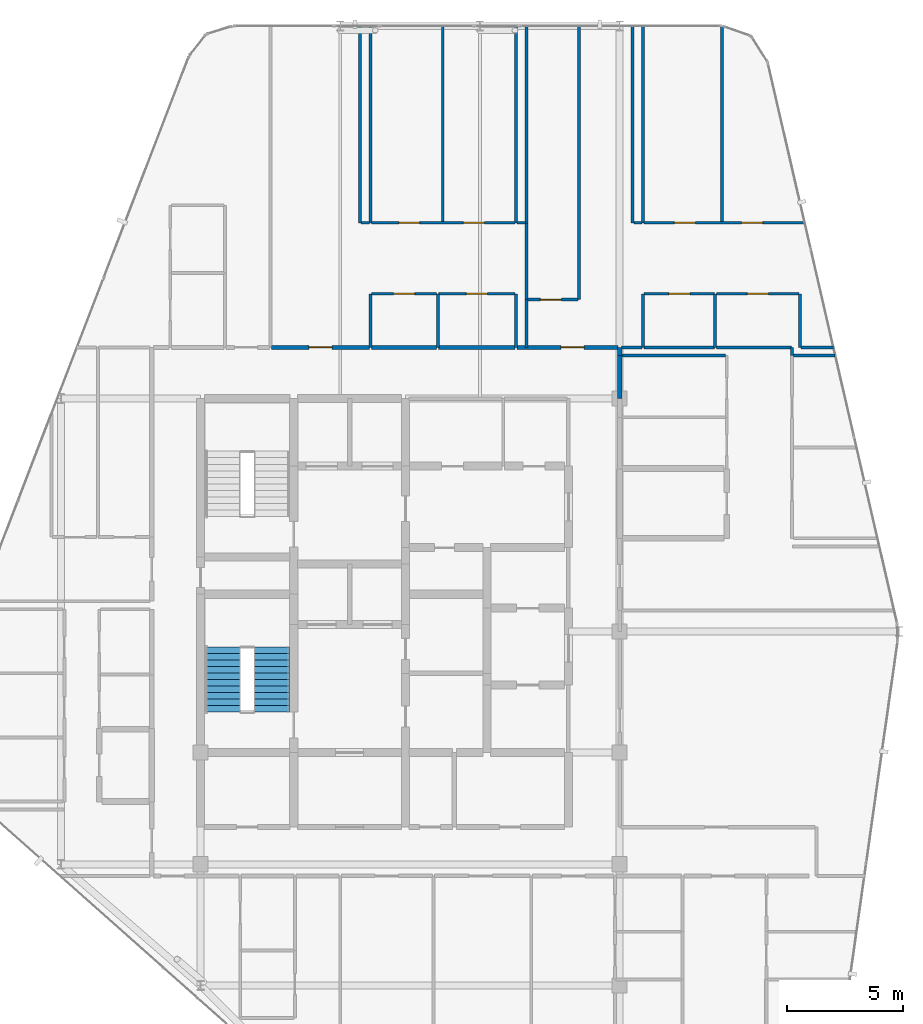
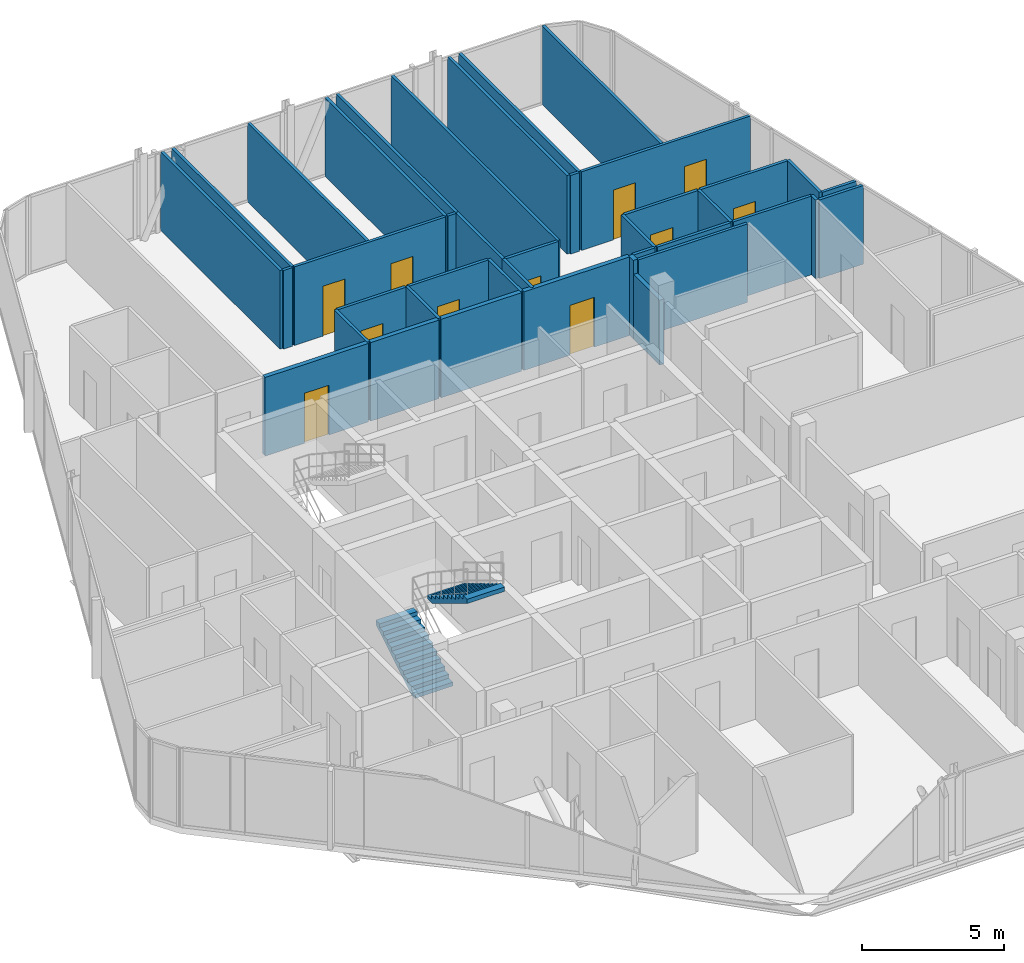
# One storey, part 26 of 28: 40 walls, 11 doors, 2 stair flights, 11 openings, 1 element without a shape of its own.
"""IFC4 building model written with IfcOpenShell, lengths in metres."""

from ifc_helpers import new_model, si_unit, direction, frame, frame_2d, origin, place, context, subcontext, project, spatial, polyline, rectangle, outline, extrude, material, layer, layer_set, type_object, element, fill, aggregate, save


model = new_model("IFC4")

# Units and contexts
model_context = context("Model", 3, precision=1e-05, world=origin(), true_north=direction((0.0, 1.0)))
body_context = subcontext(model_context, "Body", "Model", "MODEL_VIEW")
ifc_project = project(units=[si_unit("LENGTHUNIT", "METRE"), si_unit("AREAUNIT", "SQUARE_METRE"), si_unit("VOLUMEUNIT", "CUBIC_METRE"), si_unit("PLANEANGLEUNIT", "RADIAN"), si_unit("MASSUNIT", "GRAM", prefix="KILO")], contexts=[model_context])

# Site, building, storey
site_placement = place(None, origin())
site = spatial("IfcSite", under=ifc_project, at=site_placement, CompositionType="ELEMENT")
building_placement = place(site_placement, origin())
building = spatial("IfcBuilding", under=site, at=building_placement, Name="Keshet Zoharim Tower", CompositionType="ELEMENT")
storey_placement = place(building_placement, frame((0.0, 0.0, 303.60009765625)))
storey = spatial("IfcBuildingStorey", under=building, at=storey_placement, Name="L76", CompositionType="ELEMENT", Elevation=303.60009765625)

# Wall
ifc_material_1 = material(Name="Gypsum Plasterboard", Category="gypsum")
ifc_layer_1 = layer(ifc_material_1, 0.179931640625)
ifc_layer_set_1 = layer_set([ifc_layer_1], Name="Gypsum Plasterboard")
wall_type_1 = type_object("IfcWallType", Name="WL-CORR-180", PredefinedType="STANDARD", material=ifc_layer_set_1)
wall_1_placement = place(storey_placement, frame((33.0, 39.75, 0.0), z_axis=(0.0, 0.0, 1.0), x_axis=(0.0, 1.0, 0.0)))
element("IfcWall", 1, at=wall_1_placement, inside=storey, type_object=wall_type_1, Name="L76 Interior Wall 074", PredefinedType="STANDARD", context=body_context, shape_type="SweptSolid", body=[
    extrude(rectangle(XDim=0.35009765625, YDim=0.179931640625, at=frame_2d((0.175048828125, 0.0))), origin(), (0.0, 0.0, 1.0), 3.389892578125),
])

# Wall, opening, door
wall_2_placement = place(storey_placement, frame((18.044921875, 40.10009765625, 0.0), z_axis=(0.0, 0.0, 1.0), x_axis=(1.0, 0.0, 0.0)))
wall_2 = element("IfcWall", 2, at=wall_2_placement, inside=storey, type_object=wall_type_1, Name="L76 Interior Wall 165", PredefinedType="STANDARD", context=body_context, shape_type="SweptSolid", body=[
    extrude(rectangle(XDim=4.2099609375, YDim=0.179931640625, at=frame_2d((2.10498046875, 0.0))), origin(), (0.0, 0.0, 1.0), 3.389892578125),
])
opening_1_placement = place(wall_2_placement, frame((1.60498046875, 0.0, 0.0)))
opening_1 = element("IfcOpeningElement", 3, at=opening_1_placement, cuts=wall_2, Name="Opening D-F310", PredefinedType="OPENING", context=body_context, shape_type="SweptSolid", body=[
    extrude(rectangle(XDim=1.0, YDim=2.14990234375, at=frame_2d((0.5, 1.074951171875))), frame((0.0, 0.10009765625, 0.0), z_axis=(0.0, -1.0, 0.0), x_axis=(1.0, 0.0, 0.0)), (0.0, 0.0, 1.0), 0.199951171875),
])
ifc_material_2 = material(Name="Hardwood Timber", Category="wood")
door_type_1 = type_object("IfcDoorType", Name="DR-FD30-100", OperationType="NOTDEFINED", PredefinedType="DOOR", material=ifc_material_2)
door_1_placement = place(opening_1_placement, origin())
door_1 = element("IfcDoor", 4, at=door_1_placement, inside=storey, type_object=door_type_1, Name="Apartment 7605 Entrance Door", OperationType="SINGLE_SWING_LEFT", OverallHeight=2.14990234375, OverallWidth=1.0, PredefinedType="DOOR", context=body_context, shape_type="SweptSolid", body=[
    extrude(rectangle(XDim=1.0, YDim=2.14990234375, at=frame_2d((0.5, 1.074951171875))), frame((0.0, 0.02490234375, 0.0), z_axis=(0.0, -1.0, 0.0), x_axis=(1.0, 0.0, 0.0)), (0.0, 0.0, 1.0), 0.050048828125),
])
fill(opening_1, door_1)

# Walls
wall_3_placement = place(storey_placement, frame((22.344970703125, 40.10009765625, 0.0), z_axis=(0.0, 0.0, 1.0), x_axis=(1.0, 0.0, 0.0)))
element("IfcWall", 5, at=wall_3_placement, inside=storey, type_object=wall_type_1, Name="L76 Interior Wall 166", PredefinedType="STANDARD", context=body_context, shape_type="SweptSolid", body=[
    extrude(rectangle(XDim=2.784912109375, YDim=0.179931640625, at=frame_2d((1.392578125, 0.0))), origin(), (0.0, 0.0, 1.0), 3.389892578125),
])
wall_4_placement = place(storey_placement, frame((25.219970703125, 40.10009765625, 0.0), z_axis=(0.0, 0.0, 1.0), x_axis=(1.0, 0.0, 0.0)))
element("IfcWall", 6, at=wall_4_placement, inside=storey, type_object=wall_type_1, Name="L76 Interior Wall 167", PredefinedType="STANDARD", context=body_context, shape_type="SweptSolid", body=[
    extrude(rectangle(XDim=3.284912109375, YDim=0.179931640625, at=frame_2d((1.642578125, 0.0))), origin(), (0.0, 0.0, 1.0), 3.389892578125),
])

# Wall, opening, door
wall_5_placement = place(storey_placement, frame((28.594970703125, 40.10009765625, 0.0), z_axis=(0.0, 0.0, 1.0), x_axis=(1.0, 0.0, 0.0)))
wall_5 = element("IfcWall", 7, at=wall_5_placement, inside=storey, type_object=wall_type_1, Name="L76 Interior Wall 168", PredefinedType="STANDARD", context=body_context, shape_type="SweptSolid", body=[
    extrude(rectangle(XDim=4.330078125, YDim=0.179931640625, at=frame_2d((2.1650390625, 0.0))), origin(), (0.0, 0.0, 1.0), 3.389892578125),
])
opening_2_placement = place(wall_5_placement, frame((1.8798828125, 0.0, 0.0)))
opening_2 = element("IfcOpeningElement", 8, at=opening_2_placement, cuts=wall_5, Name="Opening D-F310", PredefinedType="OPENING", context=body_context, shape_type="SweptSolid", body=[
    extrude(rectangle(XDim=1.0, YDim=2.14990234375, at=frame_2d((0.5, 1.074951171875))), frame((0.0, 0.10009765625, 0.0), z_axis=(0.0, -1.0, 0.0), x_axis=(1.0, 0.0, 0.0)), (0.0, 0.0, 1.0), 0.199951171875),
])
door_2_placement = place(opening_2_placement, origin())
door_2 = element("IfcDoor", 9, at=door_2_placement, inside=storey, type_object=door_type_1, Name="Apartment 7606 Entrance Door", OperationType="SINGLE_SWING_RIGHT", OverallHeight=2.14990234375, OverallWidth=1.0, PredefinedType="DOOR", context=body_context, shape_type="SweptSolid", body=[
    extrude(rectangle(XDim=1.0, YDim=2.14990234375, at=frame_2d((0.5, 1.074951171875))), frame((0.0, 0.02490234375, 0.0), z_axis=(0.0, -1.0, 0.0), x_axis=(1.0, 0.0, 0.0)), (0.0, 0.0, 1.0), 0.050048828125),
])
fill(opening_2, door_2)

# Walls
wall_6_placement = place(storey_placement, frame((33.0, 37.89990234375, 0.0), z_axis=(0.0, 0.0, 1.0), x_axis=(0.0, 1.0, 0.0)))
element("IfcWall", 10, at=wall_6_placement, inside=storey, type_object=wall_type_1, Name="L76 Interior Wall 073 Part 2", PredefinedType="STANDARD", context=body_context, shape_type="SweptSolid", body=[
    extrude(rectangle(XDim=1.85009765625, YDim=0.179931640625, at=frame_2d((0.925048828125, 0.0))), origin(), (0.0, 0.0, 1.0), 2.789794921875),
])
ifc_layer_2 = layer(ifc_material_1, 0.1201171875)
ifc_layer_set_2 = layer_set([ifc_layer_2], Name="Gypsum Plasterboard")
wall_type_2 = type_object("IfcWallType", Name="WL-PART-120", PredefinedType="PARTITIONING", material=ifc_layer_set_2)
wall_7_placement = place(storey_placement, frame((21.85009765625, 45.449951171875, 0.0), z_axis=(0.0, 0.0, 1.0), x_axis=(0.0, 1.0, 0.0)))
element("IfcWall", 11, at=wall_7_placement, inside=storey, type_object=wall_type_2, Name="L76 Interior Wall 035", PredefinedType="PARTITIONING", context=body_context, shape_type="SweptSolid", body=[
    extrude(rectangle(XDim=8.43994140625, YDim=0.1201171875, at=frame_2d((4.219970703125, 0.0))), origin(), (0.0, 0.0, 1.0), 3.389892578125),
])
wall_8_placement = place(storey_placement, frame((22.300048828125, 40.10009765625, 0.0), z_axis=(0.0, 0.0, 1.0), x_axis=(0.0, 1.0, 0.0)))
element("IfcWall", 12, at=wall_8_placement, inside=storey, type_object=wall_type_2, Name="L76 Interior Wall 036", PredefinedType="PARTITIONING", context=body_context, shape_type="SweptSolid", body=[
    extrude(rectangle(XDim=2.2998046875, YDim=0.1201171875, at=frame_2d((1.14990234375, 0.0))), origin(), (0.0, 0.0, 1.0), 3.389892578125),
])
for number, where, z_axis, x_axis, name in (
    (13, (22.300048828125, 45.449951171875, 0.0), (0.0, 0.0, 1.0), (0.0, 1.0, 0.0), "L76 Interior Wall 037"),
    (14, (25.39990234375, 45.449951171875, 0.0), (0.0, 0.0, 1.0), (0.0, 1.0, 0.0), "L76 Interior Wall 046"),
    (15, (28.550048828125, 45.449951171875, 0.0), (0.0, 0.0, 1.0), (0.0, 1.0, 0.0), "L76 Interior Wall 054"),
):
    element("IfcWall", number, at=place(storey_placement, frame(where, z_axis=z_axis, x_axis=x_axis)), inside=storey, type_object=wall_type_2, Name=name, PredefinedType="PARTITIONING", context=body_context, shape_type="SweptSolid", body=[
        extrude(rectangle(XDim=8.43994140625, YDim=0.1201171875, at=frame_2d((4.219970703125, 0.0))), origin(), (0.0, 0.0, 1.0), 3.389892578125),
    ])
wall_9_placement = place(storey_placement, frame((29.0, 40.10009765625, 0.0), z_axis=(0.0, 0.0, 1.0), x_axis=(0.0, 1.0, 0.0)))
element("IfcWall", 16, at=wall_9_placement, inside=storey, type_object=wall_type_2, Name="L76 Interior Wall 055", PredefinedType="PARTITIONING", context=body_context, shape_type="SweptSolid", body=[
    extrude(rectangle(XDim=2.0498046875, YDim=0.1201171875, at=frame_2d((1.02490234375, 0.0))), origin(), (0.0, 0.0, 1.0), 3.389892578125),
])
wall_10_placement = place(storey_placement, frame((29.0, 42.14990234375, 0.0), z_axis=(0.0, 0.0, 1.0), x_axis=(0.0, 1.0, 0.0)))
element("IfcWall", 17, at=wall_10_placement, inside=storey, type_object=wall_type_2, Name="L76 Interior Wall 056", PredefinedType="PARTITIONING", context=body_context, shape_type="SweptSolid", body=[
    extrude(rectangle(XDim=3.300048828125, YDim=0.1201171875, at=frame_2d((1.64990234375, 0.0))), origin(), (0.0, 0.0, 1.0), 3.389892578125),
])
wall_11_placement = place(storey_placement, frame((29.0, 45.449951171875, 0.0), z_axis=(0.0, 0.0, 1.0), x_axis=(0.0, 1.0, 0.0)))
element("IfcWall", 18, at=wall_11_placement, inside=storey, type_object=wall_type_2, Name="L76 Interior Wall 057", PredefinedType="PARTITIONING", context=body_context, shape_type="SweptSolid", body=[
    extrude(rectangle(XDim=8.43994140625, YDim=0.1201171875, at=frame_2d((4.219970703125, 0.0))), origin(), (0.0, 0.0, 1.0), 3.389892578125),
])
wall_12_placement = place(storey_placement, frame((31.25, 42.14990234375, 0.0), z_axis=(0.0, 0.0, 1.0), x_axis=(0.0, 1.0, 0.0)))
element("IfcWall", 19, at=wall_12_placement, inside=storey, type_object=wall_type_2, Name="L76 Interior Wall 065", PredefinedType="PARTITIONING", context=body_context, shape_type="SweptSolid", body=[
    extrude(rectangle(XDim=11.739990234375, YDim=0.1201171875, at=frame_2d((5.8701171875, 0.0))), origin(), (0.0, 0.0, 1.0), 3.389892578125),
])
wall_13_placement = place(storey_placement, frame((33.550048828125, 45.449951171875, 0.0), z_axis=(0.0, 0.0, 1.0), x_axis=(0.0, 1.0, 0.0)))
element("IfcWall", 20, at=wall_13_placement, inside=storey, type_object=wall_type_2, Name="L76 Interior Wall 075", PredefinedType="PARTITIONING", context=body_context, shape_type="SweptSolid", body=[
    extrude(rectangle(XDim=8.43994140625, YDim=0.1201171875, at=frame_2d((4.219970703125, 0.0))), origin(), (0.0, 0.0, 1.0), 3.389892578125),
])
wall_14_placement = place(storey_placement, frame((34.0, 40.10009765625, 0.0), z_axis=(0.0, 0.0, 1.0), x_axis=(0.0, 1.0, 0.0)))
element("IfcWall", 21, at=wall_14_placement, inside=storey, type_object=wall_type_2, Name="L76 Interior Wall 076", PredefinedType="PARTITIONING", context=body_context, shape_type="SweptSolid", body=[
    extrude(rectangle(XDim=2.2998046875, YDim=0.1201171875, at=frame_2d((1.14990234375, 0.0))), origin(), (0.0, 0.0, 1.0), 3.389892578125),
])
for number, where, z_axis, x_axis, name in (
    (22, (34.0, 45.449951171875, 0.0), (0.0, 0.0, 1.0), (0.0, 1.0, 0.0), "L76 Interior Wall 077"),
    (23, (37.39990234375, 45.449951171875, 0.0), (0.0, 0.0, 1.0), (0.0, 1.0, 0.0), "L76 Interior Wall 082"),
):
    element("IfcWall", number, at=place(storey_placement, frame(where, z_axis=z_axis, x_axis=x_axis)), inside=storey, type_object=wall_type_2, Name=name, PredefinedType="PARTITIONING", context=body_context, shape_type="SweptSolid", body=[
        extrude(rectangle(XDim=8.43994140625, YDim=0.1201171875, at=frame_2d((4.219970703125, 0.0))), origin(), (0.0, 0.0, 1.0), 3.389892578125),
    ])
wall_15_placement = place(storey_placement, frame((40.39990234375, 39.75, 0.0), z_axis=(0.0, 0.0, 1.0), x_axis=(0.0, 1.0, 0.0)))
element("IfcWall", 24, at=wall_15_placement, inside=storey, type_object=wall_type_2, Name="L76 Interior Wall 090", PredefinedType="PARTITIONING", context=body_context, shape_type="SweptSolid", body=[
    extrude(rectangle(XDim=0.35009765625, YDim=0.1201171875, at=frame_2d((0.175048828125, 0.0))), origin(), (0.0, 0.0, 1.0), 3.389892578125),
])
wall_16_placement = place(storey_placement, frame((33.074951171875, 39.75, 0.0), z_axis=(0.0, 0.0, 1.0), x_axis=(1.0, 0.0, 0.0)))
element("IfcWall", 25, at=wall_16_placement, inside=storey, type_object=wall_type_2, Name="L76 Interior Wall 158", PredefinedType="PARTITIONING", context=body_context, shape_type="SweptSolid", body=[
    extrude(rectangle(XDim=4.4599609375, YDim=0.1201171875, at=frame_2d((2.22998046875, 0.0))), origin(), (0.0, 0.0, 1.0), 3.389892578125),
])
wall_17_placement = place(storey_placement, frame((40.465087890625, 39.75, 0.0), z_axis=(0.0, 0.0, 1.0), x_axis=(1.0, 0.0, 0.0)))
element("IfcWall", 26, at=wall_17_placement, inside=storey, type_object=wall_type_2, Name="L76 Interior Wall 159", PredefinedType="PARTITIONING", context=body_context, shape_type="SweptSolid", body=[
    extrude(rectangle(XDim=1.789794921875, YDim=0.1201171875, at=frame_2d((0.89501953125, 0.0))), origin(), (0.0, 0.0, 1.0), 3.389892578125),
])
wall_18_placement = place(storey_placement, frame((33.074951171875, 40.10009765625, 0.0), z_axis=(0.0, 0.0, 1.0), x_axis=(1.0, 0.0, 0.0)))
element("IfcWall", 27, at=wall_18_placement, inside=storey, type_object=wall_type_2, Name="L76 Interior Wall 169", PredefinedType="PARTITIONING", context=body_context, shape_type="SweptSolid", body=[
    extrude(rectangle(XDim=0.89013671875, YDim=0.1201171875, at=frame_2d((0.445068359375, 0.0))), origin(), (0.0, 0.0, 1.0), 3.389892578125),
])
wall_19_placement = place(storey_placement, frame((34.054931640625, 40.10009765625, 0.0), z_axis=(0.0, 0.0, 1.0), x_axis=(1.0, 0.0, 0.0)))
element("IfcWall", 28, at=wall_19_placement, inside=storey, type_object=wall_type_2, Name="L76 Interior Wall 170", PredefinedType="PARTITIONING", context=body_context, shape_type="SweptSolid", body=[
    extrude(rectangle(XDim=3.010986328125, YDim=0.1201171875, at=frame_2d((1.50537109375, 0.0))), origin(), (0.0, 0.0, 1.0), 3.389892578125),
])
wall_20_placement = place(storey_placement, frame((40.7958984375, 40.10009765625, 0.0), z_axis=(0.0, 0.0, 1.0), x_axis=(1.0, 0.0, 0.0)))
element("IfcWall", 29, at=wall_20_placement, inside=storey, type_object=wall_type_2, Name="L76 Interior Wall 172", PredefinedType="PARTITIONING", context=body_context, shape_type="SweptSolid", body=[
    extrude(rectangle(XDim=1.379150390625, YDim=0.1201171875, at=frame_2d((0.689453125, 0.0))), origin(), (0.0, 0.0, 1.0), 3.389892578125),
])

# Wall, opening, door
wall_21_placement = place(storey_placement, frame((29.044921875, 42.14990234375, 0.0), z_axis=(0.0, 0.0, 1.0), x_axis=(1.0, 0.0, 0.0)))
wall_21 = element("IfcWall", 30, at=wall_21_placement, inside=storey, type_object=wall_type_2, Name="L76 Interior Wall 173", PredefinedType="PARTITIONING", context=body_context, shape_type="SweptSolid", body=[
    extrude(rectangle(XDim=2.16015625, YDim=0.1201171875, at=frame_2d((1.080078125, 0.0))), origin(), (0.0, 0.0, 1.0), 3.389892578125),
])
opening_3_placement = place(wall_21_placement, frame((0.552978515625, 0.0, 0.0)))
opening_3 = element("IfcOpeningElement", 31, at=opening_3_placement, cuts=wall_21, Name="Opening D-IN90", PredefinedType="OPENING", context=body_context, shape_type="SweptSolid", body=[
    extrude(rectangle(XDim=0.89990234375, YDim=2.14990234375, at=frame_2d((0.449951171875, 1.074951171875))), frame((0.0, 0.070068359375, 0.0), z_axis=(0.0, -1.0, 0.0), x_axis=(1.0, 0.0, 0.0)), (0.0, 0.0, 1.0), 0.14013671875),
])
door_type_2 = type_object("IfcDoorType", Name="DR-INT-090", OperationType="NOTDEFINED", PredefinedType="DOOR", material=ifc_material_2)
door_3_placement = place(opening_3_placement, origin())
door_3 = element("IfcDoor", 32, at=door_3_placement, inside=storey, type_object=door_type_2, Name="Apartment 7606 Formal Dining Room Door", OperationType="SINGLE_SWING_LEFT", OverallHeight=2.14990234375, OverallWidth=0.89990234375, PredefinedType="DOOR", context=body_context, shape_type="SweptSolid", body=[
    extrude(rectangle(XDim=0.89990234375, YDim=2.14990234375, at=frame_2d((0.449951171875, 1.074951171875))), frame((0.0, 0.02490234375, 0.0), z_axis=(0.0, -1.0, 0.0), x_axis=(1.0, 0.0, 0.0)), (0.0, 0.0, 1.0), 0.050048828125),
])
fill(opening_3, door_3)

wall_22_placement = place(storey_placement, frame((22.344970703125, 42.39990234375, 0.0), z_axis=(0.0, 0.0, 1.0), x_axis=(1.0, 0.0, 0.0)))
wall_22 = element("IfcWall", 33, at=wall_22_placement, inside=storey, type_object=wall_type_2, Name="L76 Interior Wall 174", PredefinedType="PARTITIONING", context=body_context, shape_type="SweptSolid", body=[
    extrude(rectangle(XDim=2.784912109375, YDim=0.1201171875, at=frame_2d((1.392578125, 0.0))), origin(), (0.0, 0.0, 1.0), 3.389892578125),
])
opening_4_placement = place(wall_22_placement, frame((0.943115234375, 0.0, 0.0)))
opening_4 = element("IfcOpeningElement", 34, at=opening_4_placement, cuts=wall_22, Name="Opening D-IN90", PredefinedType="OPENING", context=body_context, shape_type="SweptSolid", body=[
    extrude(rectangle(XDim=0.89990234375, YDim=2.14990234375, at=frame_2d((0.449951171875, 1.074951171875))), frame((0.0, 0.070068359375, 0.0), z_axis=(0.0, -1.0, 0.0), x_axis=(1.0, 0.0, 0.0)), (0.0, 0.0, 1.0), 0.14013671875),
])
door_4_placement = place(opening_4_placement, origin())
door_4 = element("IfcDoor", 35, at=door_4_placement, inside=storey, type_object=door_type_2, Name="Apartment 7605 Kitchen Door", OperationType="SINGLE_SWING_RIGHT", OverallHeight=2.14990234375, OverallWidth=0.89990234375, PredefinedType="DOOR", context=body_context, shape_type="SweptSolid", body=[
    extrude(rectangle(XDim=0.89990234375, YDim=2.14990234375, at=frame_2d((0.449951171875, 1.074951171875))), frame((0.0, 0.02490234375, 0.0), z_axis=(0.0, -1.0, 0.0), x_axis=(1.0, 0.0, 0.0)), (0.0, 0.0, 1.0), 0.050048828125),
])
fill(opening_4, door_4)

wall_23_placement = place(storey_placement, frame((34.054931640625, 42.39990234375, 0.0), z_axis=(0.0, 0.0, 1.0), x_axis=(1.0, 0.0, 0.0)))
wall_23 = element("IfcWall", 36, at=wall_23_placement, inside=storey, type_object=wall_type_2, Name="L76 Interior Wall 176", PredefinedType="PARTITIONING", context=body_context, shape_type="SweptSolid", body=[
    extrude(rectangle(XDim=3.010986328125, YDim=0.1201171875, at=frame_2d((1.50537109375, 0.0))), origin(), (0.0, 0.0, 1.0), 3.389892578125),
])
opening_5_placement = place(wall_23_placement, frame((1.054931640625, 0.0, 0.0)))
opening_5 = element("IfcOpeningElement", 37, at=opening_5_placement, cuts=wall_23, Name="Opening D-IN90", PredefinedType="OPENING", context=body_context, shape_type="SweptSolid", body=[
    extrude(rectangle(XDim=0.89990234375, YDim=2.14990234375, at=frame_2d((0.449951171875, 1.074951171875))), frame((0.0, 0.070068359375, 0.0), z_axis=(0.0, -1.0, 0.0), x_axis=(1.0, 0.0, 0.0)), (0.0, 0.0, 1.0), 0.14013671875),
])
door_5_placement = place(opening_5_placement, origin())
door_5 = element("IfcDoor", 38, at=door_5_placement, inside=storey, type_object=door_type_2, Name="Apartment 7606 Kitchen Door", OperationType="SINGLE_SWING_RIGHT", OverallHeight=2.14990234375, OverallWidth=0.89990234375, PredefinedType="DOOR", context=body_context, shape_type="SweptSolid", body=[
    extrude(rectangle(XDim=0.89990234375, YDim=2.14990234375, at=frame_2d((0.449951171875, 1.074951171875))), frame((0.0, 0.02490234375, 0.0), z_axis=(0.0, -1.0, 0.0), x_axis=(1.0, 0.0, 0.0)), (0.0, 0.0, 1.0), 0.050048828125),
])
fill(opening_5, door_5)

# Wall
wall_24_placement = place(storey_placement, frame((21.89501953125, 45.449951171875, 0.0), z_axis=(0.0, 0.0, 1.0), x_axis=(1.0, 0.0, 0.0)))
element("IfcWall", 39, at=wall_24_placement, inside=storey, type_object=wall_type_2, Name="L76 Interior Wall 179", PredefinedType="PARTITIONING", context=body_context, shape_type="SweptSolid", body=[
    extrude(rectangle(XDim=0.35986328125, YDim=0.1201171875, at=frame_2d((0.179931640625, 0.0))), origin(), (0.0, 0.0, 1.0), 3.389892578125),
])

# Wall, openings, doors
wall_25_placement = place(storey_placement, frame((22.344970703125, 45.449951171875, 0.0), z_axis=(0.0, 0.0, 1.0), x_axis=(1.0, 0.0, 0.0)))
wall_25 = element("IfcWall", 40, at=wall_25_placement, inside=storey, type_object=wall_type_2, Name="L76 Interior Wall 180", PredefinedType="PARTITIONING", context=body_context, shape_type="SweptSolid", body=[
    extrude(rectangle(XDim=6.159912109375, YDim=0.1201171875, at=frame_2d((3.080078125, 0.0))), origin(), (0.0, 0.0, 1.0), 3.389892578125),
])
opening_6_placement = place(wall_25_placement, frame((1.1669921875, 0.0, 0.0)))
opening_6 = element("IfcOpeningElement", 41, at=opening_6_placement, cuts=wall_25, Name="Opening D-IN90", PredefinedType="OPENING", context=body_context, shape_type="SweptSolid", body=[
    extrude(rectangle(XDim=0.89990234375, YDim=2.14990234375, at=frame_2d((0.449951171875, 1.074951171875))), frame((0.0, 0.070068359375, 0.0), z_axis=(0.0, -1.0, 0.0), x_axis=(1.0, 0.0, 0.0)), (0.0, 0.0, 1.0), 0.14013671875),
])
opening_7_placement = place(wall_25_placement, frame((3.94189453125, 0.0, 0.0)))
opening_7 = element("IfcOpeningElement", 42, at=opening_7_placement, cuts=wall_25, Name="Opening D-IN90", PredefinedType="OPENING", context=body_context, shape_type="SweptSolid", body=[
    extrude(rectangle(XDim=0.89990234375, YDim=2.14990234375, at=frame_2d((0.449951171875, 1.074951171875))), frame((0.0, 0.070068359375, 0.0), z_axis=(0.0, -1.0, 0.0), x_axis=(1.0, 0.0, 0.0)), (0.0, 0.0, 1.0), 0.14013671875),
])
door_6_placement = place(opening_6_placement, origin())
door_6 = element("IfcDoor", 43, at=door_6_placement, inside=storey, type_object=door_type_2, Name="Apartment 7605 Bedroom 1 Door", OperationType="SINGLE_SWING_RIGHT", OverallHeight=2.14990234375, OverallWidth=0.89990234375, PredefinedType="DOOR", context=body_context, shape_type="SweptSolid", body=[
    extrude(rectangle(XDim=0.89990234375, YDim=2.14990234375, at=frame_2d((0.449951171875, 1.074951171875))), frame((0.0, 0.02490234375, 0.0), z_axis=(0.0, -1.0, 0.0), x_axis=(1.0, 0.0, 0.0)), (0.0, 0.0, 1.0), 0.050048828125),
])
fill(opening_6, door_6)
door_7_placement = place(opening_7_placement, origin())
door_7 = element("IfcDoor", 44, at=door_7_placement, inside=storey, type_object=door_type_2, Name="Apartment 7605 Bedroom 2 Door", OperationType="SINGLE_SWING_LEFT", OverallHeight=2.14990234375, OverallWidth=0.89990234375, PredefinedType="DOOR", context=body_context, shape_type="SweptSolid", body=[
    extrude(rectangle(XDim=0.89990234375, YDim=2.14990234375, at=frame_2d((0.449951171875, 1.074951171875))), frame((0.0, 0.02490234375, 0.0), z_axis=(0.0, -1.0, 0.0), x_axis=(1.0, 0.0, 0.0)), (0.0, 0.0, 1.0), 0.050048828125),
])
fill(opening_7, door_7)

# Walls
for number, where, z_axis, x_axis, name in (
    (45, (28.594970703125, 45.449951171875, 0.0), (0.0, 0.0, 1.0), (1.0, 0.0, 0.0), "L76 Interior Wall 181"),
    (46, (33.60498046875, 45.449951171875, 0.0), (0.0, 0.0, 1.0), (1.0, 0.0, 0.0), "L76 Interior Wall 182"),
):
    element("IfcWall", number, at=place(storey_placement, frame(where, z_axis=z_axis, x_axis=x_axis)), inside=storey, type_object=wall_type_2, Name=name, PredefinedType="PARTITIONING", context=body_context, shape_type="SweptSolid", body=[
        extrude(rectangle(XDim=0.360107421875, YDim=0.1201171875, at=frame_2d((0.18017578125, 0.0))), origin(), (0.0, 0.0, 1.0), 3.389892578125),
    ])

# Wall, openings, doors
wall_26_placement = place(storey_placement, frame((34.054931640625, 45.449951171875, 0.0), z_axis=(0.0, 0.0, 1.0), x_axis=(1.0, 0.0, 0.0)))
wall_26 = element("IfcWall", 47, at=wall_26_placement, inside=storey, type_object=wall_type_2, Name="L76 Interior Wall 183", PredefinedType="PARTITIONING", context=body_context, shape_type="SweptSolid", body=[
    extrude(rectangle(XDim=6.885009765625, YDim=0.1201171875, at=frame_2d((3.4423828125, 0.0))), origin(), (0.0, 0.0, 1.0), 3.389892578125),
])
opening_8_placement = place(wall_26_placement, frame((1.2919921875, 0.0, 0.0)))
opening_8 = element("IfcOpeningElement", 48, at=opening_8_placement, cuts=wall_26, Name="Opening D-IN90", PredefinedType="OPENING", context=body_context, shape_type="SweptSolid", body=[
    extrude(rectangle(XDim=0.89990234375, YDim=2.14990234375, at=frame_2d((0.449951171875, 1.074951171875))), frame((0.0, 0.070068359375, 0.0), z_axis=(0.0, -1.0, 0.0), x_axis=(1.0, 0.0, 0.0)), (0.0, 0.0, 1.0), 0.14013671875),
])
opening_9_placement = place(wall_26_placement, frame((4.18408203125, 0.0, 0.0)))
opening_9 = element("IfcOpeningElement", 49, at=opening_9_placement, cuts=wall_26, Name="Opening D-IN90", PredefinedType="OPENING", context=body_context, shape_type="SweptSolid", body=[
    extrude(rectangle(XDim=0.89990234375, YDim=2.14990234375, at=frame_2d((0.449951171875, 1.074951171875))), frame((0.0, 0.070068359375, 0.0), z_axis=(0.0, -1.0, 0.0), x_axis=(1.0, 0.0, 0.0)), (0.0, 0.0, 1.0), 0.14013671875),
])
door_8_placement = place(opening_8_placement, origin())
door_8 = element("IfcDoor", 50, at=door_8_placement, inside=storey, type_object=door_type_2, Name="Apartment 7606 Bedroom 1 Door", OperationType="SINGLE_SWING_RIGHT", OverallHeight=2.14990234375, OverallWidth=0.89990234375, PredefinedType="DOOR", context=body_context, shape_type="SweptSolid", body=[
    extrude(rectangle(XDim=0.89990234375, YDim=2.14990234375, at=frame_2d((0.449951171875, 1.074951171875))), frame((0.0, 0.02490234375, 0.0), z_axis=(0.0, -1.0, 0.0), x_axis=(1.0, 0.0, 0.0)), (0.0, 0.0, 1.0), 0.050048828125),
])
fill(opening_8, door_8)
door_9_placement = place(opening_9_placement, origin())
door_9 = element("IfcDoor", 51, at=door_9_placement, inside=storey, type_object=door_type_2, Name="Apartment 7606 Bedroom 2 Door", OperationType="SINGLE_SWING_LEFT", OverallHeight=2.14990234375, OverallWidth=0.89990234375, PredefinedType="DOOR", context=body_context, shape_type="SweptSolid", body=[
    extrude(rectangle(XDim=0.89990234375, YDim=2.14990234375, at=frame_2d((0.449951171875, 1.074951171875))), frame((0.0, 0.02490234375, 0.0), z_axis=(0.0, -1.0, 0.0), x_axis=(1.0, 0.0, 0.0)), (0.0, 0.0, 1.0), 0.050048828125),
])
fill(opening_9, door_9)

# Walls
ifc_layer_3 = layer(ifc_material_1, 0.1201171875)
ifc_layer_set_3 = layer_set([ifc_layer_3], Name="Gypsum Plasterboard")
wall_type_3 = type_object("IfcWallType", Name="WL-WET-120", PredefinedType="PARTITIONING", material=ifc_layer_set_3)
for number, where, z_axis, x_axis, name in (
    (52, (25.199951171875, 40.10009765625, 0.0), (0.0, 0.0, 1.0), (0.0, 1.0, 0.0), "L76 Interior Wall 045"),
    (53, (28.550048828125, 40.10009765625, 0.0), (0.0, 0.0, 1.0), (0.0, 1.0, 0.0), "L76 Interior Wall 053"),
    (54, (37.10009765625, 40.10009765625, 0.0), (0.0, 0.0, 1.0), (0.0, 1.0, 0.0), "L76 Interior Wall 081"),
    (55, (40.75, 40.10009765625, 0.0), (0.0, 0.0, 1.0), (0.0, 1.0, 0.0), "L76 Interior Wall 091"),
):
    element("IfcWall", number, at=place(storey_placement, frame(where, z_axis=z_axis, x_axis=x_axis)), inside=storey, type_object=wall_type_3, Name=name, PredefinedType="PARTITIONING", context=body_context, shape_type="SweptSolid", body=[
        extrude(rectangle(XDim=2.2998046875, YDim=0.1201171875, at=frame_2d((1.14990234375, 0.0))), origin(), (0.0, 0.0, 1.0), 3.389892578125),
    ])
wall_27_placement = place(storey_placement, frame((37.156005859375, 40.10009765625, 0.0), z_axis=(0.0, 0.0, 1.0), x_axis=(1.0, 0.0, 0.0)))
element("IfcWall", 56, at=wall_27_placement, inside=storey, type_object=wall_type_3, Name="L76 Interior Wall 171", PredefinedType="PARTITIONING", context=body_context, shape_type="SweptSolid", body=[
    extrude(rectangle(XDim=3.218994140625, YDim=0.1201171875, at=frame_2d((1.609375, 0.0))), origin(), (0.0, 0.0, 1.0), 3.389892578125),
])

# Wall, opening, door
wall_28_placement = place(storey_placement, frame((25.219970703125, 42.39990234375, 0.0), z_axis=(0.0, 0.0, 1.0), x_axis=(1.0, 0.0, 0.0)))
wall_28 = element("IfcWall", 57, at=wall_28_placement, inside=storey, type_object=wall_type_3, Name="L76 Interior Wall 175", PredefinedType="PARTITIONING", context=body_context, shape_type="SweptSolid", body=[
    extrude(rectangle(XDim=3.284912109375, YDim=0.1201171875, at=frame_2d((1.642578125, 0.0))), origin(), (0.0, 0.0, 1.0), 3.389892578125),
])
opening_10_placement = place(wall_28_placement, frame((1.193115234375, 0.0, 0.0)))
opening_10 = element("IfcOpeningElement", 58, at=opening_10_placement, cuts=wall_28, Name="Opening D-WT90", PredefinedType="OPENING", context=body_context, shape_type="SweptSolid", body=[
    extrude(rectangle(XDim=0.89990234375, YDim=2.10009765625, at=frame_2d((0.449951171875, 1.050048828125))), frame((0.0, 0.070068359375, 0.0), z_axis=(0.0, -1.0, 0.0), x_axis=(1.0, 0.0, 0.0)), (0.0, 0.0, 1.0), 0.14013671875),
])
door_type_3 = type_object("IfcDoorType", Name="DR-WET-090", OperationType="NOTDEFINED", PredefinedType="DOOR", material=ifc_material_2)
door_10_placement = place(opening_10_placement, origin())
door_10 = element("IfcDoor", 59, at=door_10_placement, inside=storey, type_object=door_type_3, Name="Apartment 7605 Bathroom Door", OperationType="SINGLE_SWING_LEFT", OverallHeight=2.10009765625, OverallWidth=0.89990234375, PredefinedType="DOOR", context=body_context, shape_type="SweptSolid", body=[
    extrude(rectangle(XDim=0.89990234375, YDim=2.10009765625, at=frame_2d((0.449951171875, 1.050048828125))), frame((0.0, 0.02490234375, 0.0), z_axis=(0.0, -1.0, 0.0), x_axis=(1.0, 0.0, 0.0)), (0.0, 0.0, 1.0), 0.050048828125),
])
fill(opening_10, door_10)

wall_29_placement = place(storey_placement, frame((37.156005859375, 42.39990234375, 0.0), z_axis=(0.0, 0.0, 1.0), x_axis=(1.0, 0.0, 0.0)))
wall_29 = element("IfcWall", 60, at=wall_29_placement, inside=storey, type_object=wall_type_3, Name="L76 Interior Wall 177", PredefinedType="PARTITIONING", context=body_context, shape_type="SweptSolid", body=[
    extrude(rectangle(XDim=3.550048828125, YDim=0.1201171875, at=frame_2d((1.77490234375, 0.0))), origin(), (0.0, 0.0, 1.0), 3.389892578125),
])
opening_11_placement = place(wall_29_placement, frame((1.324951171875, 0.0, 0.0)))
opening_11 = element("IfcOpeningElement", 61, at=opening_11_placement, cuts=wall_29, Name="Opening D-WT90", PredefinedType="OPENING", context=body_context, shape_type="SweptSolid", body=[
    extrude(rectangle(XDim=0.89990234375, YDim=2.10009765625, at=frame_2d((0.449951171875, 1.050048828125))), frame((0.0, 0.070068359375, 0.0), z_axis=(0.0, -1.0, 0.0), x_axis=(1.0, 0.0, 0.0)), (0.0, 0.0, 1.0), 0.14013671875),
])
door_11_placement = place(opening_11_placement, origin())
door_11 = element("IfcDoor", 62, at=door_11_placement, inside=storey, type_object=door_type_3, Name="Apartment 7606 Bathroom Door", OperationType="SINGLE_SWING_LEFT", OverallHeight=2.10009765625, OverallWidth=0.89990234375, PredefinedType="DOOR", context=body_context, shape_type="SweptSolid", body=[
    extrude(rectangle(XDim=0.89990234375, YDim=2.10009765625, at=frame_2d((0.449951171875, 1.050048828125))), frame((0.0, 0.02490234375, 0.0), z_axis=(0.0, -1.0, 0.0), x_axis=(1.0, 0.0, 0.0)), (0.0, 0.0, 1.0), 0.050048828125),
])
fill(opening_11, door_11)

# Stair, stair flights
ifc_material_3 = material(Name="Concrete C50/60", Category="concrete")
stair_type = type_object("IfcStairType", Name="STR-EXIT-135", PredefinedType="HALF_TURN_STAIR", material=ifc_material_3)
stair_placement = place(storey_placement, origin())
stair = element("IfcStair", 63, at=stair_placement, inside=storey, type_object=stair_type, Name="L76 Enclosed Exit Stair ST-01", PredefinedType="HALF_TURN_STAIR")
stair_flight_type = type_object("IfcStairFlightType", Name="FLT-PRE-135", PredefinedType="STRAIGHT", material=ifc_material_3)
stair_flight_1_placement = place(storey_placement, frame((15.945068359375, 24.43994140625, 0.0), z_axis=(0.0, 0.0, 1.0), x_axis=(0.0, 1.0, 0.0)))
stair_flight_1 = element("IfcStairFlight", 64, at=stair_flight_1_placement, type_object=stair_flight_type, Name="ST-01 flight 1", NumberOfRisers=11, NumberOfTreads=10, PredefinedType="STRAIGHT", RiserHeight=0.168182, TreadLength=0.28, context=body_context, shape_type="SweptSolid", body=[
    extrude(outline(polyline([(0.0, 0.0), (0.0, 0.168212890625), (0.280029296875, 0.168212890625), (0.280029296875, 0.33642578125), (0.56005859375, 0.33642578125), (0.56005859375, 0.504638671875), (0.840087890625, 0.504638671875), (0.840087890625, 0.672607421875), (1.1201171875, 0.672607421875), (1.1201171875, 0.8408203125), (1.39990234375, 0.8408203125), (1.39990234375, 1.009033203125), (1.679931640625, 1.009033203125), (1.679931640625, 1.17724609375), (1.9599609375, 1.17724609375), (1.9599609375, 1.345458984375), (2.239990234375, 1.345458984375), (2.239990234375, 1.513671875), (2.52001953125, 1.513671875), (2.52001953125, 1.681884765625), (2.800048828125, 1.681884765625), (2.800048828125, 1.85009765625), (2.800048828125, 1.495361328125), (0.310546875, 0.0), (0.0, 0.0)])), frame((0.0, 0.76513671875, 0.0), z_axis=(0.0, -1.0, 0.0), x_axis=(1.0, 0.0, 0.0)), (0.0, 0.0, 1.0), 1.530029296875),
])
stair_flight_2_placement = place(storey_placement, frame((18.054931640625, 27.239990234375, 1.849853515625), z_axis=(0.0, 0.0, 1.0), x_axis=(0.0, -1.0, 0.0)))
stair_flight_2 = element("IfcStairFlight", 65, at=stair_flight_2_placement, type_object=stair_flight_type, Name="ST-01 flight 2", NumberOfRisers=11, NumberOfTreads=10, PredefinedType="STRAIGHT", RiserHeight=0.168182, TreadLength=0.28, context=body_context, shape_type="SweptSolid", body=[
    extrude(outline(polyline([(0.0, 0.0), (0.0, 0.168212890625), (0.280029296875, 0.168212890625), (0.280029296875, 0.33642578125), (0.56005859375, 0.33642578125), (0.56005859375, 0.504638671875), (0.840087890625, 0.504638671875), (0.840087890625, 0.672607421875), (1.1201171875, 0.672607421875), (1.1201171875, 0.8408203125), (1.39990234375, 0.8408203125), (1.39990234375, 1.009033203125), (1.679931640625, 1.009033203125), (1.679931640625, 1.17724609375), (1.9599609375, 1.17724609375), (1.9599609375, 1.345458984375), (2.239990234375, 1.345458984375), (2.239990234375, 1.513671875), (2.52001953125, 1.513671875), (2.52001953125, 1.681884765625), (2.800048828125, 1.681884765625), (2.800048828125, 1.85009765625), (2.800048828125, 1.495361328125), (0.310546875, 0.0), (0.0, 0.0)])), frame((0.0, 0.76513671875, 0.0), z_axis=(0.0, -1.0, 0.0), x_axis=(1.0, 0.0, 0.0)), (0.0, 0.0, 1.0), 1.530029296875),
])
aggregate(stair, [stair_flight_1, stair_flight_2])

save(model, "model.ifc")
